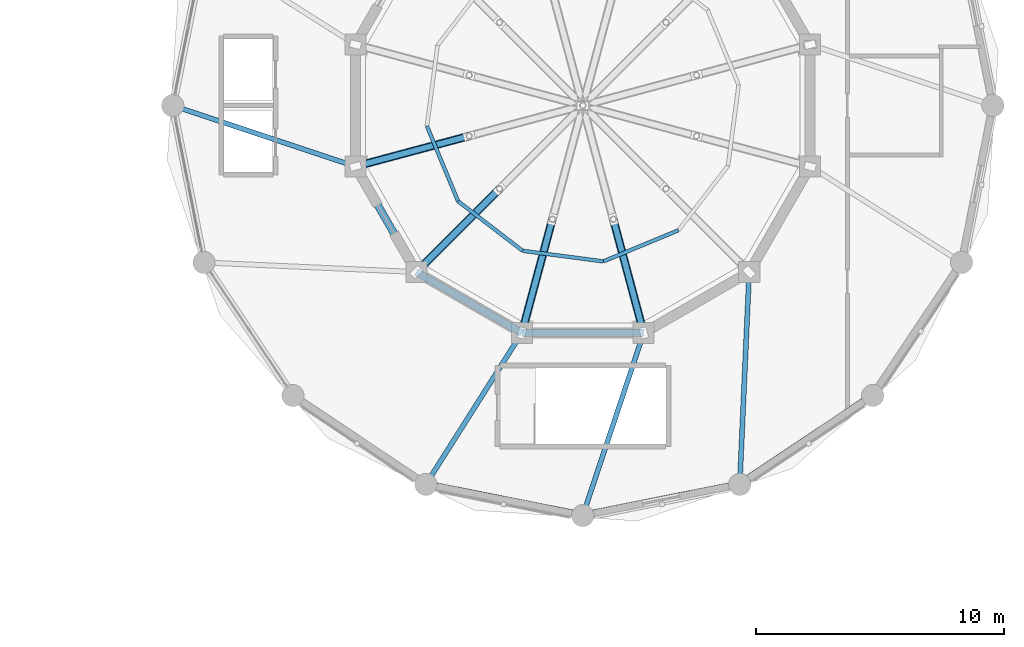
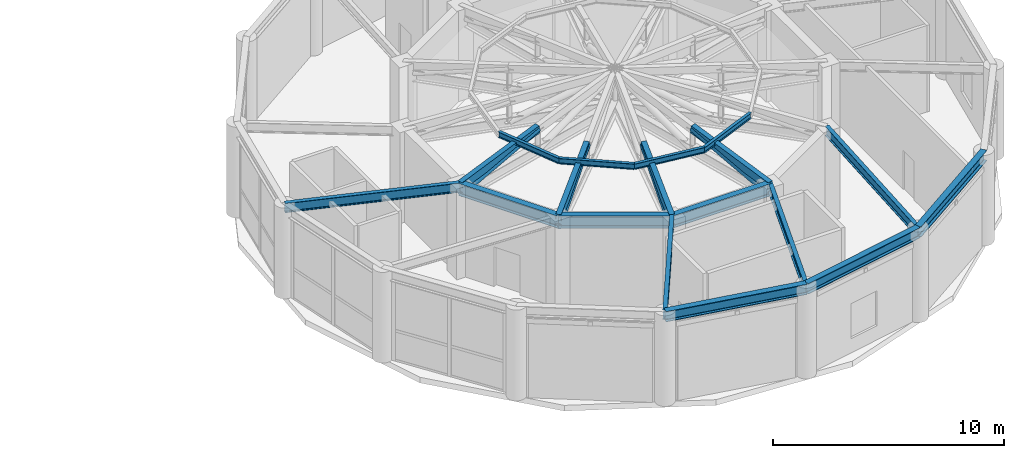
# One storey, part 8 of 26: 12 members, 10 beams.
"""IFC4 building model written with IfcOpenShell, lengths in metres."""

from ifc_helpers import new_model, si_unit, derived_unit, direction, frame, origin, origin_2d, place, context, subcontext, project, spatial, hollow_rectangle, hollow_circle, i_section, extrude, source, transform, mapped, material, material_profile, profile_set, type_object, element, save


model = new_model("IFC4")

# Units and contexts
model_context = context("Model", 3, precision=1e-05, world=origin(), true_north=direction((0.0, 1.0)))
body_context = subcontext(model_context, "Body", "Model", "MODEL_VIEW")
ifc_project = project(units=[si_unit("LENGTHUNIT", "METRE"), si_unit("AREAUNIT", "SQUARE_METRE"), si_unit("VOLUMEUNIT", "CUBIC_METRE"), si_unit("PLANEANGLEUNIT", "RADIAN"), si_unit("MASSUNIT", "GRAM", prefix="KILO"), derived_unit("THERMALTRANSMITTANCEUNIT", [(si_unit("POWERUNIT", "WATT"), 1), (si_unit("LENGTHUNIT", "METRE"), -2), (si_unit("THERMODYNAMICTEMPERATUREUNIT", "KELVIN"), -1)])], contexts=[model_context])

# Site, building, storey
site_placement = place(None, origin())
site = spatial("IfcSite", under=ifc_project, at=site_placement, CompositionType="ELEMENT")
building_placement = place(site_placement, origin())
building = spatial("IfcBuilding", under=site, at=building_placement, Name="Korsvarv Bourse and Concert Hall", CompositionType="ELEMENT")
storey_placement = place(building_placement, frame((0.0, 0.0, 19.199951171875)))
storey = spatial("IfcBuildingStorey", under=building, at=storey_placement, Name="L04", CompositionType="ELEMENT", Elevation=19.199951171875)

# Beams
ifc_material = material(Name="Steel S355", Category="steel")
ifc_material_profile_1 = material_profile(ifc_material, i_section(OverallWidth=0.300048828125, OverallDepth=0.550048828125, WebThickness=0.014892578125, FlangeThickness=0.029052734375, FilletRadius=0.02392578125, at=origin_2d()), Name="HEB 550")
ifc_profile_set_1 = profile_set([ifc_material_profile_1], Name="Steel S355")
beam_type_1 = type_object("IfcBeamType", Name="BM-HEB550", PredefinedType="BEAM", material=ifc_profile_set_1)
shared_shape_1 = source(origin(), body_context, "Body", "SweptSolid", [
    extrude(i_section(OverallWidth=0.300048828125, OverallDepth=0.550048828125, WebThickness=0.014892578125, FlangeThickness=0.029052734375, FilletRadius=0.02392578125, at=origin_2d()), origin(), (0.0, 0.0, 1.0), 6.45751953125),
])
beam_1_placement = place(storey_placement, frame((100.466552734375, 20.709716796875, 4.525146484375), z_axis=(0.980786616034, -0.195083607229, 0.0), x_axis=(0.195083607229, 0.980786616034, 0.0)))
element("IfcBeam", 1, at=beam_1_placement, inside=storey, type_object=beam_type_1, Name="L04 beam B-06", PredefinedType="BEAM", context=body_context, shape_type="MappedRepresentation", body=[
    mapped(shared_shape_1, transform((0.0, 0.0, 0.0), scale=1.0)),
])
shared_shape_2 = source(origin(), body_context, "Body", "SweptSolid", [
    extrude(i_section(OverallWidth=0.300048828125, OverallDepth=0.550048828125, WebThickness=0.014892578125, FlangeThickness=0.029052734375, FilletRadius=0.02392578125, at=origin_2d()), origin(), (0.0, 0.0, 1.0), 6.457275390625),
])
beam_2_placement = place(storey_placement, frame((106.800048828125, 19.449951171875, 4.525146484375), z_axis=(0.980785177113, 0.19509084129, 0.0), x_axis=(-0.19509084129, 0.980785177113, 0.0)))
element("IfcBeam", 2, at=beam_2_placement, inside=storey, type_object=beam_type_1, Name="L04 beam B-06", PredefinedType="BEAM", context=body_context, shape_type="MappedRepresentation", body=[
    mapped(shared_shape_2, transform((0.0, 0.0, 0.0), scale=1.0)),
])
shared_shape_3 = source(origin(), body_context, "Body", "SweptSolid", [
    extrude(i_section(OverallWidth=0.300048828125, OverallDepth=0.550048828125, WebThickness=0.014892578125, FlangeThickness=0.029052734375, FilletRadius=0.02392578125, at=origin_2d()), origin(), (0.0, 0.0, 1.0), 6.457763671875),
])
beam_3_placement = place(storey_placement, frame((113.13330078125, 20.709716796875, 4.525146484375), z_axis=(0.831474026951, 0.555563625974, 0.0), x_axis=(-0.555563625974, 0.831474026951, 0.0)))
element("IfcBeam", 3, at=beam_3_placement, inside=storey, type_object=beam_type_1, Name="L04 beam B-06", PredefinedType="BEAM", context=body_context, shape_type="MappedRepresentation", body=[
    mapped(shared_shape_3, transform((0.0, 0.0, 0.0), scale=1.0)),
])
ifc_material_profile_2 = material_profile(ifc_material, i_section(OverallWidth=0.300048828125, OverallDepth=0.64990234375, WebThickness=0.01611328125, FlangeThickness=0.031005859375, FilletRadius=0.027099609375, at=origin_2d()), Name="HEB 650")
ifc_profile_set_2 = profile_set([ifc_material_profile_2], Name="Steel S355")
beam_type_2 = type_object("IfcBeamType", Name="BM-HEB650", PredefinedType="BEAM", material=ifc_profile_set_2)
shared_shape_4 = source(origin(), body_context, "Body", "SweptSolid", [
    extrude(i_section(OverallWidth=0.300048828125, OverallDepth=0.64990234375, WebThickness=0.01611328125, FlangeThickness=0.031005859375, FilletRadius=0.027099609375, at=origin_2d()), origin(), (0.0, 0.0, 1.0), 4.91748046875),
])
for number, where, z_axis, x_axis, name in (
    (4, (97.623779296875, 33.541259765625, 4.47509765625), (0.499988900423, -0.866031812033, 0.0), (0.866031812033, 0.499988900423, 0.0), "L04 beam B-04"),
    (5, (100.08251953125, 29.282470703125, 4.47509765625), (0.866031812033, -0.499988900423, 0.0), (0.499988900423, 0.866031812033, 0.0), "L04 beam B-04"),
    (6, (104.34130859375, 26.82373046875, 4.47509765625), (1.0, 0.0, 0.0), (0.0, 1.0, 0.0), "L04 beam B-04"),
):
    element("IfcBeam", number, at=place(storey_placement, frame(where, z_axis=z_axis, x_axis=x_axis)), inside=storey, type_object=beam_type_2, Name=name, PredefinedType="BEAM", context=body_context, shape_type="MappedRepresentation", body=[
        mapped(shared_shape_4, transform((0.0, 0.0, 0.0), scale=1.0)),
    ])
ifc_material_profile_3 = material_profile(ifc_material, i_section(OverallWidth=0.199951171875, OverallDepth=0.5, WebThickness=0.01025390625, FlangeThickness=0.01611328125, FilletRadius=0.02099609375, at=origin_2d()), Name="IPE 500")
ifc_profile_set_3 = profile_set([ifc_material_profile_3], Name="Steel S355")
beam_type_3 = type_object("IfcBeamType", Name="BM-IPE500", PredefinedType="JOIST", material=ifc_profile_set_3)
shared_shape_5 = source(origin(), body_context, "Body", "SweptSolid", [
    extrude(i_section(OverallWidth=0.199951171875, OverallDepth=0.5, WebThickness=0.01025390625, FlangeThickness=0.01611328125, FilletRadius=0.02099609375, at=origin_2d()), origin(), (0.0, 0.0, 1.0), 7.77294921875),
])
for number, where, z_axis, x_axis, name in (
    (7, (97.623779296875, 33.541259765625, 4.550048828125), (-0.948651884177, 0.316321992039, 0.0), (-0.316321992039, -0.948651884177, 0.0), "L04 beam J-03"),
    (8, (109.2587890625, 26.82373046875, 4.550048828125), (-0.316321992039, -0.948651884177, 0.0), (0.948651884177, -0.316321992039, 0.0), "L04 beam J-03"),
):
    element("IfcBeam", number, at=place(storey_placement, frame(where, z_axis=z_axis, x_axis=x_axis)), inside=storey, type_object=beam_type_3, Name=name, PredefinedType="JOIST", context=body_context, shape_type="MappedRepresentation", body=[
        mapped(shared_shape_5, transform((0.0, 0.0, 0.0), scale=1.0)),
    ])
shared_shape_6 = source(origin(), body_context, "Body", "SweptSolid", [
    extrude(i_section(OverallWidth=0.199951171875, OverallDepth=0.5, WebThickness=0.01025390625, FlangeThickness=0.01611328125, FilletRadius=0.02099609375, at=origin_2d()), origin(), (0.0, 0.0, 1.0), 8.581298828125),
])
beam_4_placement = place(storey_placement, frame((113.517578125, 29.282470703125, 4.550048828125), z_axis=(-0.044780459224, -0.998996852083, 0.0), x_axis=(0.998996852083, -0.044780459224, 0.0)))
element("IfcBeam", 9, at=beam_4_placement, inside=storey, type_object=beam_type_3, Name="L04 beam J-03", PredefinedType="JOIST", context=body_context, shape_type="MappedRepresentation", body=[
    mapped(shared_shape_6, transform((0.0, 0.0, 0.0), scale=1.0)),
])
shared_shape_7 = source(origin(), body_context, "Body", "SweptSolid", [
    extrude(i_section(OverallWidth=0.199951171875, OverallDepth=0.5, WebThickness=0.01025390625, FlangeThickness=0.01611328125, FilletRadius=0.02099609375, at=origin_2d()), origin(), (0.0, 0.0, 1.0), 7.238525390625),
])
beam_5_placement = place(storey_placement, frame((104.34130859375, 26.82373046875, 4.550048828125), z_axis=(-0.53530321499, -0.844659971835, 0.0), x_axis=(0.844659971835, -0.53530321499, 0.0)))
element("IfcBeam", 10, at=beam_5_placement, inside=storey, type_object=beam_type_3, Name="L04 beam J-03", PredefinedType="JOIST", context=body_context, shape_type="MappedRepresentation", body=[
    mapped(shared_shape_7, transform((0.0, 0.0, 0.0), scale=1.0)),
])

# Members
ifc_material_profile_4 = material_profile(ifc_material, hollow_rectangle(XDim=0.25, YDim=0.39990234375, WallThickness=0.01611328125, at=origin_2d()), Name="RHS 400x250x16")
ifc_profile_set_4 = profile_set([ifc_material_profile_4], Name="Steel S355")
member_type_1 = type_object("IfcMemberType", Name="MEM-RHS400", PredefinedType="CHORD", material=ifc_profile_set_4)
shared_shape_8 = source(origin(), body_context, "Body", "SweptSolid", [
    extrude(hollow_rectangle(XDim=0.25, YDim=0.39990234375, WallThickness=0.01611328125, at=origin_2d()), origin(), (0.0, 0.0, 1.0), 4.79833984375),
])
for number, where, z_axis, x_axis, name in (
    (11, (102.2119140625, 34.7705078125, 5.280029296875), (-0.95618645144, -0.256180427978, -0.141700594224), (0.258791750001, -0.965933139576, 0.0), "Concert Hall Roof Truss 1 Top Chord 4"),
    (12, (103.441162109375, 32.64111328125, 5.280029296875), (-0.699971430546, -0.699971430546, -0.141703891406), (0.707106781187, -0.707106781187, 0.0), "Concert Hall Roof Truss 2 Top Chord 4"),
    (13, (105.570556640625, 31.411865234375, 5.280029296875), (-0.256180427978, -0.95618645144, -0.141700594224), (0.965933139576, -0.258791750001, 0.0), "Concert Hall Roof Truss 3 Top Chord 4"),
    (14, (108.029296875, 31.411865234375, 5.280029296875), (0.256227967806, -0.95617398709, -0.141698747089), (0.965920290174, 0.25883970528, 0.0), "Concert Hall Roof Truss 4 Top Chord 4"),
):
    element("IfcMember", number, at=place(storey_placement, frame(where, z_axis=z_axis, x_axis=x_axis)), inside=storey, type_object=member_type_1, Name=name, PredefinedType="CHORD", context=body_context, shape_type="MappedRepresentation", body=[
        mapped(shared_shape_8, transform((0.0, 0.0, 0.0), scale=1.0)),
    ])
ifc_material_profile_5 = material_profile(ifc_material, hollow_circle(Radius=0.161865234375, WallThickness=0.012451171875, at=origin_2d()), Name="CHS 323.9x12.5")
ifc_profile_set_5 = profile_set([ifc_material_profile_5], Name="Steel S355")
member_type_2 = type_object("IfcMemberType", Name="MEM-CHS324", PredefinedType="BRACE", material=ifc_profile_set_5)
shared_shape_9 = source(origin(), body_context, "Body", "SweptSolid", [
    extrude(hollow_circle(Radius=0.161865234375, WallThickness=0.012451171875, at=origin_2d()), origin(), (0.0, 0.0, 1.0), 4.882568359375),
])
for number, where, z_axis, x_axis, name in (
    (15, (97.623779296875, 33.541259765625, 4.150146484375), (0.93971289474, 0.25176685069, 0.231415488578), (-0.258791750001, 0.965933139576, 0.0), "Concert Hall Roof Truss 1 Web Diagonal 4"),
    (16, (104.34130859375, 26.82373046875, 4.150146484375), (0.25176685069, 0.93971289474, 0.231415488578), (-0.965933139576, 0.258791750001, 0.0), "Concert Hall Roof Truss 3 Web Diagonal 4"),
    (17, (109.2587890625, 26.82373046875, 4.150146484375), (-0.251813683613, 0.939701063569, 0.231412575012), (-0.965920290174, -0.25883970528, 0.0), "Concert Hall Roof Truss 4 Web Diagonal 4"),
):
    element("IfcMember", number, at=place(storey_placement, frame(where, z_axis=z_axis, x_axis=x_axis)), inside=storey, type_object=member_type_2, Name=name, PredefinedType="BRACE", context=body_context, shape_type="MappedRepresentation", body=[
        mapped(shared_shape_9, transform((0.0, 0.0, 0.0), scale=1.0)),
    ])
shared_shape_10 = source(origin(), body_context, "Body", "SweptSolid", [
    extrude(hollow_circle(Radius=0.161865234375, WallThickness=0.012451171875, at=origin_2d()), origin(), (0.0, 0.0, 1.0), 4.88232421875),
])
member_placement = place(storey_placement, frame((100.08251953125, 29.282470703125, 4.150146484375), z_axis=(0.687911500317, 0.687911500317, 0.231420689356), x_axis=(-0.707106781187, 0.707106781187, 0.0)))
element("IfcMember", 18, at=member_placement, inside=storey, type_object=member_type_2, Name="Concert Hall Roof Truss 2 Web Diagonal 4", PredefinedType="BRACE", context=body_context, shape_type="MappedRepresentation", body=[
    mapped(shared_shape_10, transform((0.0, 0.0, 0.0), scale=1.0)),
])
ifc_material_profile_6 = material_profile(ifc_material, i_section(OverallWidth=0.14990234375, OverallDepth=0.300048828125, WebThickness=0.007080078125, FlangeThickness=0.0107421875, FilletRadius=0.014892578125, at=origin_2d()), Name="IPE 300")
ifc_profile_set_6 = profile_set([ifc_material_profile_6], Name="Steel S355")
member_type_3 = type_object("IfcMemberType", Name="MEM-PUR300", PredefinedType="PURLIN", material=ifc_profile_set_6)
shared_shape_11 = source(origin(), body_context, "Body", "SweptSolid", [
    extrude(i_section(OverallWidth=0.14990234375, OverallDepth=0.300048828125, WebThickness=0.007080078125, FlangeThickness=0.0107421875, FilletRadius=0.014892578125, at=origin_2d()), origin(), (0.0, 0.0, 1.0), 3.2841796875),
])
for number, where, z_axis, x_axis, name in (
    (19, (100.509765625, 35.171875, 5.330078125), (0.382693194178, -0.923875488976, 0.0), (0.923875488976, 0.382693194178, 0.0), "Concert Hall Auditorium Roof Purlin 7"),
    (20, (101.7666015625, 32.1376953125, 5.330078125), (0.793314335777, -0.60881225731, 0.0), (0.60881225731, 0.793314335777, 0.0), "Concert Hall Auditorium Roof Purlin 8"),
    (21, (104.3720703125, 30.13818359375, 5.330078125), (0.991453030375, -0.130464127488, 0.0), (0.130464127488, 0.991453030375, 0.0), "Concert Hall Auditorium Roof Purlin 9"),
    (22, (107.628173828125, 29.709716796875, 5.330078125), (0.923875488976, 0.382693194178, 0.0), (-0.382693194178, 0.923875488976, 0.0), "Concert Hall Auditorium Roof Purlin 10"),
):
    element("IfcMember", number, at=place(storey_placement, frame(where, z_axis=z_axis, x_axis=x_axis)), inside=storey, type_object=member_type_3, Name=name, PredefinedType="PURLIN", context=body_context, shape_type="MappedRepresentation", body=[
        mapped(shared_shape_11, transform((0.0, 0.0, 0.0), scale=1.0)),
    ])

save(model, "model.ifc")
